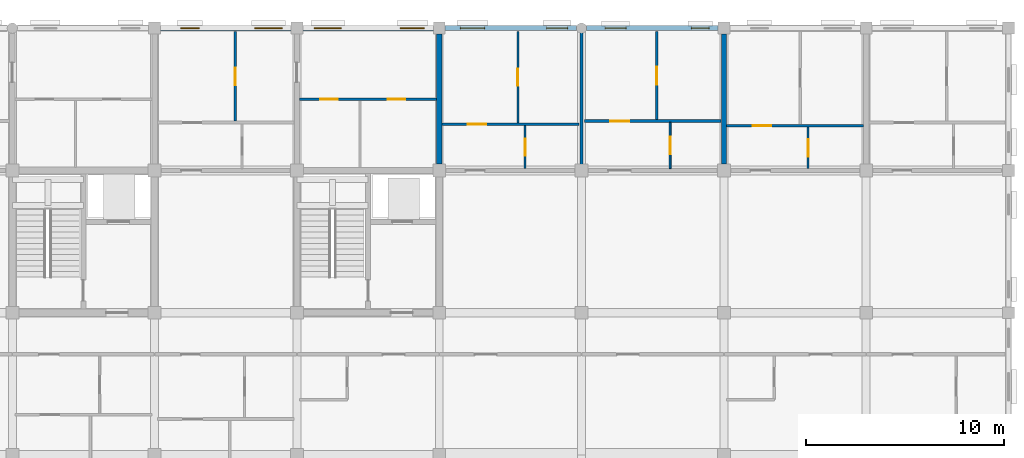
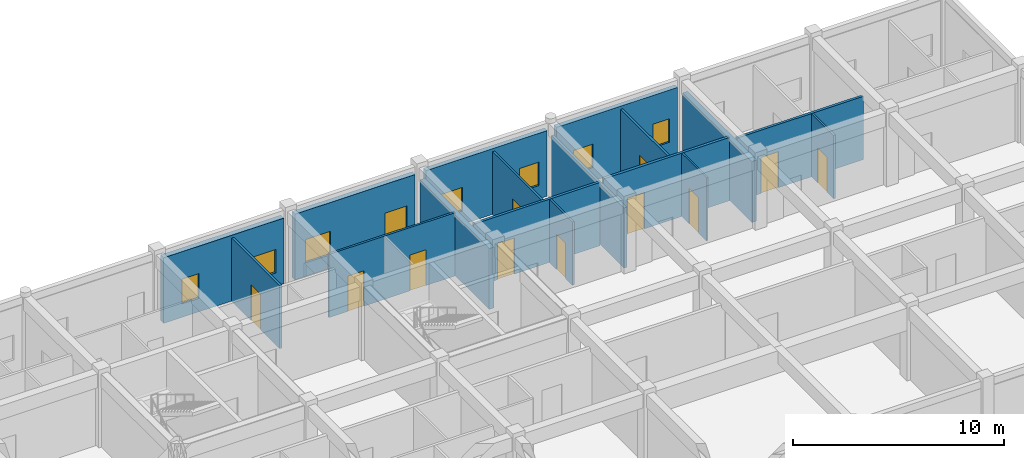
# One storey, part 119 of 138: 17 walls, 11 doors, 8 windows, 19 openings.
"""IFC4 building model written with IfcOpenShell, lengths in metres."""

import ifcopenshell
import ifcopenshell.guid

model = None  # the IFC model being written
_history = None  # IfcOwnerHistory: only IFC2X3 demands one
_inside = {}  # id of a spatial element -> (the spatial element, [elements in it])
_under = {}  # id of a project, library or spatial element -> (it, [spatial elements below it])
_declared = {}  # id of a project -> (the project, [libraries it declares])
_typed = {}  # id of a type object -> (the type object, [elements of that type])
_made_of = {}  # id of a material, layer set ... -> (it, [elements and type objects made of it])


def new_model(schema):
    """Start an empty IFC model of exactly this schema.

    Asked for "IFC4X3", IfcOpenShell would pick the latest addendum, in which some entities
    have other attributes; the version numbers below select the first issue.
    IFC2X3 requires an IfcOwnerHistory on every rooted entity: one is made here for all.
    """
    global model, _history
    if schema == "IFC4X3":
        model = ifcopenshell.file(schema_version=(4, 3, 0, 0))
    else:
        model = ifcopenshell.file(schema=schema)
    _inside.clear()
    _under.clear()
    _declared.clear()
    _typed.clear()
    _made_of.clear()
    _history = None
    if model.schema == "IFC2X3":
        org = make("IfcOrganization", Name="unknown")
        user = make(
            "IfcPersonAndOrganization",
            ThePerson=make("IfcPerson", FamilyName="unknown"),
            TheOrganization=org,
        )
        app = make(
            "IfcApplication",
            ApplicationDeveloper=org,
            Version="unknown",
            ApplicationFullName="unknown",
            ApplicationIdentifier="unknown",
        )
        _history = make(
            "IfcOwnerHistory",
            OwningUser=user,
            OwningApplication=app,
            ChangeAction="ADDED",
            CreationDate=0,
        )
    return model


def make(cls, **values):
    """One entity of the class cls with the attributes given. An attribute that is None is left unset."""
    return model.create_entity(
        cls, **{name: value for name, value in values.items() if value is not None}
    )


def rooted(cls, **values):
    """An entity with a GlobalId (a new one), such as an element, a storey or a relation."""
    return make(cls, GlobalId=ifcopenshell.guid.new(), OwnerHistory=_history, **values)


def si_unit(unit_type, name, prefix=None):
    """IfcSIUnit, for example si_unit("LENGTHUNIT", "METRE", prefix="MILLI")."""
    return make("IfcSIUnit", UnitType=unit_type, Prefix=prefix, Name=name)


def assignment(units):
    """IfcUnitAssignment: the units of a project."""
    return None if units is None else make("IfcUnitAssignment", Units=units)


def point(xyz):
    """IfcCartesianPoint."""
    return None if xyz is None else make("IfcCartesianPoint", Coordinates=xyz)


def direction(xyz):
    """IfcDirection."""
    return None if xyz is None else make("IfcDirection", DirectionRatios=xyz)


def frame(location, z_axis=None, x_axis=None):
    """IfcAxis2Placement3D, a coordinate frame: its origin and axes. An axis left out is left unset."""
    return make(
        "IfcAxis2Placement3D",
        Location=point(location),
        Axis=direction(z_axis),
        RefDirection=direction(x_axis),
    )


def frame_2d(location, x_axis=None):
    """IfcAxis2Placement2D, a coordinate frame in the plane: its origin and x axis."""
    return make(
        "IfcAxis2Placement2D", Location=point(location), RefDirection=direction(x_axis)
    )


def origin():
    """The frame at (0, 0, 0) with its axes left unset."""
    return frame((0.0, 0.0, 0.0))


def place(relative_to, where):
    """IfcLocalPlacement: puts the frame where relative to a parent placement (None: the world)."""
    return make(
        "IfcLocalPlacement", PlacementRelTo=relative_to, RelativePlacement=where
    )


def context(
    kind, dimensions, precision=None, world=None, true_north=None, identifier=None
):
    """IfcGeometricRepresentationContext, for example the 3D "Model" context."""
    return make(
        "IfcGeometricRepresentationContext",
        ContextIdentifier=identifier,
        ContextType=kind,
        CoordinateSpaceDimension=dimensions,
        Precision=precision,
        WorldCoordinateSystem=world,
        TrueNorth=true_north,
    )


def subcontext(parent, identifier, kind, view, scale=None):
    """IfcGeometricRepresentationSubContext, for example "Body" below "Model"."""
    return make(
        "IfcGeometricRepresentationSubContext",
        ContextIdentifier=identifier,
        ContextType=kind,
        ParentContext=parent,
        TargetScale=scale,
        TargetView=view,
    )


def project(units=None, contexts=None):
    """IfcProject with its units and contexts."""
    return rooted(
        "IfcProject",
        Name="project",
        RepresentationContexts=contexts,
        UnitsInContext=assignment(units),
    )


def spatial(cls, under=None, at=None, **own):
    """A site, building, storey or space (cls), placed at a placement, below another one or the project."""
    s = rooted(cls, ObjectPlacement=at, **own)
    if under is not None:
        _under.setdefault(under.id(), (under, []))[1].append(s)
    return s


def profile(cls, at=None, kind="AREA", **sizes):
    """A parametric profile (cls). Its sizes go by their IFC names, for example OverallWidth=200.0."""
    return make(cls, ProfileType=kind, Position=at, **sizes)


def rectangle(**sizes):
    """IfcRectangleProfileDef."""
    return profile("IfcRectangleProfileDef", **sizes)


def extrude(swept, where, along, depth):
    """IfcExtrudedAreaSolid: the profile swept, set in the frame where, extruded along a direction by depth."""
    return make(
        "IfcExtrudedAreaSolid",
        SweptArea=swept,
        Position=where,
        ExtrudedDirection=direction(along),
        Depth=depth,
    )


def shape(context_of_items, identifier, shape_type, items):
    """IfcShapeRepresentation: the items that make up one representation, for example the "Body"."""
    return make(
        "IfcShapeRepresentation",
        ContextOfItems=context_of_items,
        RepresentationIdentifier=identifier,
        RepresentationType=shape_type,
        Items=items,
    )


def material(Name=None, Category=None):
    """IfcMaterial."""
    return make("IfcMaterial", Name=Name, Category=Category)


def layer(
    of_material, thickness, ventilated=None, Name=None, Category=None, Priority=None
):
    """IfcMaterialLayer: one layer of a wall or slab, of a material (None: an air gap)."""
    return make(
        "IfcMaterialLayer",
        Material=of_material,
        LayerThickness=thickness,
        IsVentilated=ventilated,
        Name=Name,
        Category=Category,
        Priority=Priority,
    )


def layer_set(layers, Name=None):
    """IfcMaterialLayerSet."""
    return make("IfcMaterialLayerSet", MaterialLayers=layers, LayerSetName=Name)


def made_of(thing, what):
    """Note that an element or type object is made of a material, layer set ...; save() writes the relation."""
    if what is not None:
        _made_of.setdefault(what.id(), (what, []))[1].append(thing)
    return thing


def type_object(cls, material=None, **own):
    """A type object (cls), such as IfcWallType, which elements share."""
    return made_of(rooted(cls, **own), material)


def element(
    cls,
    number,
    at=None,
    inside=None,
    cuts=None,
    type_object=None,
    material=None,
    context=None,
    identifier="Body",
    shape_type=None,
    held_by="IfcProductDefinitionShape",
    body=None,
    shapes=None,
    **own,
):
    """One element of the class cls, such as IfcWall. Its Tag is "e" and its number.

    at: its placement. inside: the storey or other place that contains it. cuts: it is an
    opening in that element (IfcRelVoidsElement). A single representation is given by context,
    identifier, shape_type and body (its items); several are given by shapes. held_by: the class
    of the entity that holds the representations. save() writes the other relations.
    """
    e = rooted(cls, Tag="e%d" % number, ObjectPlacement=at, **own)
    if body is not None:
        shapes = [shape(context, identifier, shape_type, body)]
    if shapes is not None:
        e.Representation = make(held_by, Representations=shapes)
    if inside is not None:
        _inside.setdefault(inside.id(), (inside, []))[1].append(e)
    if cuts is not None:
        rooted(
            "IfcRelVoidsElement", RelatingBuildingElement=cuts, RelatedOpeningElement=e
        )
    if type_object is not None:
        _typed.setdefault(type_object.id(), (type_object, []))[1].append(e)
    return made_of(e, material)


def fill(opening, filler):
    """IfcRelFillsElement: the door or window that sits in an opening."""
    return rooted(
        "IfcRelFillsElement",
        RelatingOpeningElement=opening,
        RelatedBuildingElement=filler,
    )


def aggregate(whole, parts):
    """IfcRelAggregates: a whole, such as a stair, and the parts it consists of."""
    return rooted("IfcRelAggregates", RelatingObject=whole, RelatedObjects=parts)


def save(model, path):
    """Write the relations noted so far, then the file.

    IfcRelAggregates (storeys below a building ...), IfcRelContainedInSpatialStructure (elements
    in a storey), IfcRelDefinesByType, IfcRelAssociatesMaterial and IfcRelDeclares: one each for
    every whole, place, type object, material and project.
    """
    for whole, parts in _under.values():
        aggregate(whole, parts)
    for where, things in _inside.values():
        rooted(
            "IfcRelContainedInSpatialStructure",
            RelatedElements=things,
            RelatingStructure=where,
        )
    for kind, things in _typed.values():
        rooted("IfcRelDefinesByType", RelatedObjects=things, RelatingType=kind)
    for what, things in _made_of.values():
        rooted("IfcRelAssociatesMaterial", RelatedObjects=things, RelatingMaterial=what)
    for by, libraries in _declared.values():
        rooted("IfcRelDeclares", RelatingContext=by, RelatedDefinitions=libraries)
    model.write(path)


model = new_model("IFC4")

# Units and contexts
model_context = context("Model", 3, precision=1e-05, world=origin(), true_north=direction((0.0, 1.0)))
body_context = subcontext(model_context, "Body", "Model", "MODEL_VIEW")
ifc_project = project(units=[si_unit("LENGTHUNIT", "METRE"), si_unit("AREAUNIT", "SQUARE_METRE"), si_unit("VOLUMEUNIT", "CUBIC_METRE"), si_unit("PLANEANGLEUNIT", "RADIAN"), si_unit("MASSUNIT", "GRAM", prefix="KILO"), si_unit("THERMODYNAMICTEMPERATUREUNIT", "KELVIN"), si_unit("POWERUNIT", "WATT")], contexts=[model_context])

# Site, building, storey
site_placement = place(None, origin())
site = spatial("IfcSite", under=ifc_project, at=site_placement, CompositionType="ELEMENT")
building_placement = place(site_placement, origin())
building = spatial("IfcBuilding", under=site, at=building_placement, Name="Tavuni Mirador Residences", CompositionType="ELEMENT")
storey_placement = place(building_placement, origin())
storey = spatial("IfcBuildingStorey", under=building, at=storey_placement, Name="L00", CompositionType="ELEMENT", Elevation=0.0)

# Wall, openings, windows
ifc_material_1 = material(Name="Sgraffito lime-rendered precast concrete C40/50", Category="concrete")
ifc_layer_1 = layer(ifc_material_1, 0.2451171875, Name="Sgraffito lime-rendered precast concrete C40/50", Category="concrete")
ifc_layer_set_1 = layer_set([ifc_layer_1], Name="Sgraffito lime-rendered precast concrete C40/50")
wall_type_1 = type_object("IfcWallType", Name="WT-EXT-PC245", PredefinedType="SOLIDWALL", material=ifc_layer_set_1)
wall_1_placement = place(storey_placement, frame((60.89990234375, 172.800048828125, 0.0), z_axis=(0.0, 0.0, 1.0), x_axis=(-1.0, 0.0, 0.0)))
wall_1 = element("IfcWall", 1, at=wall_1_placement, inside=storey, type_object=wall_type_1, Name="EW-BLK-C-L00-N06", PredefinedType="SOLIDWALL", context=body_context, shape_type="SweptSolid", body=[
    extrude(rectangle(XDim=6.639892578125, YDim=0.2451171875, at=frame_2d((3.31982421875, 0.0))), origin(), (0.0, 0.0, 1.0), 3.804931640625),
])
opening_1_placement = place(wall_1_placement, frame((0.449951171875, 0.0, 0.780029296875)))
opening_1 = element("IfcOpeningElement", 2, at=opening_1_placement, cuts=wall_1, Name="Opening WN-17", PredefinedType="OPENING", context=body_context, shape_type="SweptSolid", body=[
    extrude(rectangle(XDim=0.89990234375, YDim=1.360107421875, at=frame_2d((0.449951171875, 0.68017578125))), frame((0.0, 0.132568359375, 0.0), z_axis=(0.0, -1.0, 0.0), x_axis=(1.0, 0.0, 0.0)), (0.0, 0.0, 1.0), 0.26513671875),
])
opening_2_placement = place(wall_1_placement, frame((4.64990234375, 0.0, 0.780029296875)))
opening_2 = element("IfcOpeningElement", 3, at=opening_2_placement, cuts=wall_1, Name="Opening WN-19", PredefinedType="OPENING", context=body_context, shape_type="SweptSolid", body=[
    extrude(rectangle(XDim=1.06005859375, YDim=1.360107421875, at=frame_2d((0.530029296875, 0.68017578125))), frame((0.0, 0.132568359375, 0.0), z_axis=(0.0, -1.0, 0.0), x_axis=(1.0, 0.0, 0.0)), (0.0, 0.0, 1.0), 0.26513671875),
])
ifc_material_2 = material(Name="Laminated solar-control glass", Category="glass")
window_type_1 = type_object("IfcWindowType", Name="WNT-17", PartitioningType="SINGLE_PANEL", PredefinedType="WINDOW", material=ifc_material_2)
window_1_placement = place(opening_1_placement, origin())
window_1 = element("IfcWindow", 4, at=window_1_placement, inside=storey, type_object=window_type_1, Name="WIN-0826", OverallHeight=1.360107421875, OverallWidth=0.89990234375, PartitioningType="SINGLE_PANEL", PredefinedType="WINDOW", context=body_context, shape_type="SweptSolid", body=[
    extrude(rectangle(XDim=0.89990234375, YDim=1.360107421875, at=frame_2d((0.449951171875, 0.68017578125))), frame((0.0, 0.030029296875, 0.0), z_axis=(0.0, -1.0, 0.0), x_axis=(1.0, 0.0, 0.0)), (0.0, 0.0, 1.0), 0.06005859375),
])
fill(opening_1, window_1)
window_type_2 = type_object("IfcWindowType", Name="WNT-19", PartitioningType="SINGLE_PANEL", PredefinedType="WINDOW", material=ifc_material_2)
window_2_placement = place(opening_2_placement, origin())
window_2 = element("IfcWindow", 5, at=window_2_placement, inside=storey, type_object=window_type_2, Name="WIN-0827", OverallHeight=1.360107421875, OverallWidth=1.06005859375, PartitioningType="SINGLE_PANEL", PredefinedType="WINDOW", context=body_context, shape_type="SweptSolid", body=[
    extrude(rectangle(XDim=1.06005859375, YDim=1.360107421875, at=frame_2d((0.530029296875, 0.68017578125))), frame((0.0, 0.030029296875, 0.0), z_axis=(0.0, -1.0, 0.0), x_axis=(1.0, 0.0, 0.0)), (0.0, 0.0, 1.0), 0.06005859375),
])
fill(opening_2, window_2)

ifc_layer_2 = layer(ifc_material_1, 0.2548828125, Name="Sgraffito lime-rendered precast concrete C40/50", Category="concrete")
ifc_layer_set_2 = layer_set([ifc_layer_2], Name="Sgraffito lime-rendered precast concrete C40/50")
wall_type_2 = type_object("IfcWallType", Name="WT-EXT-PC255", PredefinedType="SOLIDWALL", material=ifc_layer_set_2)
wall_2_placement = place(storey_placement, frame((53.739990234375, 172.800048828125, 0.0), z_axis=(0.0, 0.0, 1.0), x_axis=(-1.0, 0.0, 0.0)))
wall_2 = element("IfcWall", 6, at=wall_2_placement, inside=storey, type_object=wall_type_2, Name="EW-BLK-C-L00-N05", PredefinedType="SOLIDWALL", context=body_context, shape_type="SweptSolid", body=[
    extrude(rectangle(XDim=6.639892578125, YDim=0.2548828125, at=frame_2d((3.31982421875, 0.0))), origin(), (0.0, 0.0, 1.0), 3.804931640625),
])
opening_3_placement = place(wall_2_placement, frame((0.449951171875, 0.0, 0.780029296875)))
opening_3 = element("IfcOpeningElement", 7, at=opening_3_placement, cuts=wall_2, Name="Opening WN-19", PredefinedType="OPENING", context=body_context, shape_type="SweptSolid", body=[
    extrude(rectangle(XDim=1.06005859375, YDim=1.360107421875, at=frame_2d((0.530029296875, 0.68017578125))), frame((0.0, 0.137451171875, 0.0), z_axis=(0.0, -1.0, 0.0), x_axis=(1.0, 0.0, 0.0)), (0.0, 0.0, 1.0), 0.27490234375),
])
opening_4_placement = place(wall_2_placement, frame((4.64990234375, 0.0, 0.780029296875)))
opening_4 = element("IfcOpeningElement", 8, at=opening_4_placement, cuts=wall_2, Name="Opening WN-21", PredefinedType="OPENING", context=body_context, shape_type="SweptSolid", body=[
    extrude(rectangle(XDim=1.219970703125, YDim=1.360107421875, at=frame_2d((0.60986328125, 0.68017578125))), frame((0.0, 0.137451171875, 0.0), z_axis=(0.0, -1.0, 0.0), x_axis=(1.0, 0.0, 0.0)), (0.0, 0.0, 1.0), 0.27490234375),
])
window_3_placement = place(opening_3_placement, origin())
window_3 = element("IfcWindow", 9, at=window_3_placement, inside=storey, type_object=window_type_2, Name="WIN-0828", OverallHeight=1.360107421875, OverallWidth=1.06005859375, PartitioningType="SINGLE_PANEL", PredefinedType="WINDOW", context=body_context, shape_type="SweptSolid", body=[
    extrude(rectangle(XDim=1.06005859375, YDim=1.360107421875, at=frame_2d((0.530029296875, 0.68017578125))), frame((0.0, 0.030029296875, 0.0), z_axis=(0.0, -1.0, 0.0), x_axis=(1.0, 0.0, 0.0)), (0.0, 0.0, 1.0), 0.06005859375),
])
fill(opening_3, window_3)
window_type_3 = type_object("IfcWindowType", Name="WNT-21", PartitioningType="SINGLE_PANEL", PredefinedType="WINDOW", material=ifc_material_2)
window_4_placement = place(opening_4_placement, origin())
window_4 = element("IfcWindow", 10, at=window_4_placement, inside=storey, type_object=window_type_3, Name="WIN-0829", OverallHeight=1.360107421875, OverallWidth=1.219970703125, PartitioningType="SINGLE_PANEL", PredefinedType="WINDOW", context=body_context, shape_type="SweptSolid", body=[
    extrude(rectangle(XDim=1.219970703125, YDim=1.360107421875, at=frame_2d((0.60986328125, 0.68017578125))), frame((0.0, 0.030029296875, 0.0), z_axis=(0.0, -1.0, 0.0), x_axis=(1.0, 0.0, 0.0)), (0.0, 0.0, 1.0), 0.06005859375),
])
fill(opening_4, window_4)

ifc_layer_3 = layer(ifc_material_1, 0.27490234375, Name="Sgraffito lime-rendered precast concrete C40/50", Category="concrete")
ifc_layer_set_3 = layer_set([ifc_layer_3], Name="Sgraffito lime-rendered precast concrete C40/50")
wall_type_3 = type_object("IfcWallType", Name="WT-EXT-PC275", PredefinedType="SOLIDWALL", material=ifc_layer_set_3)
wall_3_placement = place(storey_placement, frame((46.5, 172.800048828125, 0.0), z_axis=(0.0, 0.0, 1.0), x_axis=(-1.0, 0.0, 0.0)))
wall_3 = element("IfcWall", 11, at=wall_3_placement, inside=storey, type_object=wall_type_3, Name="EW-BLK-C-L00-N04", PredefinedType="SOLIDWALL", context=body_context, shape_type="SweptSolid", body=[
    extrude(rectangle(XDim=6.60009765625, YDim=0.27490234375, at=frame_2d((3.300048828125, 0.0))), origin(), (0.0, 0.0, 1.0), 3.804931640625),
])
opening_5_placement = place(wall_3_placement, frame((0.449951171875, 0.0, 0.780029296875)))
opening_5 = element("IfcOpeningElement", 12, at=opening_5_placement, cuts=wall_3, Name="Opening WN-21", PredefinedType="OPENING", context=body_context, shape_type="SweptSolid", body=[
    extrude(rectangle(XDim=1.219970703125, YDim=1.360107421875, at=frame_2d((0.60986328125, 0.68017578125))), frame((0.0, 0.1474609375, 0.0), z_axis=(0.0, -1.0, 0.0), x_axis=(1.0, 0.0, 0.0)), (0.0, 0.0, 1.0), 0.294921875),
])
opening_6_placement = place(wall_3_placement, frame((4.64990234375, 0.0, 0.780029296875)))
opening_6 = element("IfcOpeningElement", 13, at=opening_6_placement, cuts=wall_3, Name="Opening WN-23", PredefinedType="OPENING", context=body_context, shape_type="SweptSolid", body=[
    extrude(rectangle(XDim=1.3798828125, YDim=1.360107421875, at=frame_2d((0.68994140625, 0.68017578125))), frame((0.0, 0.1474609375, 0.0), z_axis=(0.0, -1.0, 0.0), x_axis=(1.0, 0.0, 0.0)), (0.0, 0.0, 1.0), 0.294921875),
])
window_5_placement = place(opening_5_placement, origin())
window_5 = element("IfcWindow", 14, at=window_5_placement, inside=storey, type_object=window_type_3, Name="WIN-0830", OverallHeight=1.360107421875, OverallWidth=1.219970703125, PartitioningType="SINGLE_PANEL", PredefinedType="WINDOW", context=body_context, shape_type="SweptSolid", body=[
    extrude(rectangle(XDim=1.219970703125, YDim=1.360107421875, at=frame_2d((0.60986328125, 0.68017578125))), frame((0.0, 0.030029296875, 0.0), z_axis=(0.0, -1.0, 0.0), x_axis=(1.0, 0.0, 0.0)), (0.0, 0.0, 1.0), 0.06005859375),
])
fill(opening_5, window_5)
window_type_4 = type_object("IfcWindowType", Name="WNT-23", PartitioningType="SINGLE_PANEL", PredefinedType="WINDOW", material=ifc_material_2)
window_6_placement = place(opening_6_placement, origin())
window_6 = element("IfcWindow", 15, at=window_6_placement, inside=storey, type_object=window_type_4, Name="WIN-0831", OverallHeight=1.360107421875, OverallWidth=1.3798828125, PartitioningType="SINGLE_PANEL", PredefinedType="WINDOW", context=body_context, shape_type="SweptSolid", body=[
    extrude(rectangle(XDim=1.3798828125, YDim=1.360107421875, at=frame_2d((0.68994140625, 0.68017578125))), frame((0.0, 0.030029296875, 0.0), z_axis=(0.0, -1.0, 0.0), x_axis=(1.0, 0.0, 0.0)), (0.0, 0.0, 1.0), 0.06005859375),
])
fill(opening_6, window_6)

ifc_layer_4 = layer(ifc_material_1, 0.2900390625, Name="Sgraffito lime-rendered precast concrete C40/50", Category="concrete")
ifc_layer_set_4 = layer_set([ifc_layer_4], Name="Sgraffito lime-rendered precast concrete C40/50")
wall_type_4 = type_object("IfcWallType", Name="WT-EXT-PC290", PredefinedType="SOLIDWALL", material=ifc_layer_set_4)
wall_4_placement = place(storey_placement, frame((39.300048828125, 172.800048828125, 0.0), z_axis=(0.0, 0.0, 1.0), x_axis=(-1.0, 0.0, 0.0)))
wall_4 = element("IfcWall", 16, at=wall_4_placement, inside=storey, type_object=wall_type_4, Name="EW-BLK-C-L00-N03", PredefinedType="SOLIDWALL", context=body_context, shape_type="SweptSolid", body=[
    extrude(rectangle(XDim=6.60009765625, YDim=0.2900390625, at=frame_2d((3.300048828125, 0.0))), origin(), (0.0, 0.0, 1.0), 3.804931640625),
])
opening_7_placement = place(wall_4_placement, frame((0.449951171875, 0.0, 0.780029296875)))
opening_7 = element("IfcOpeningElement", 17, at=opening_7_placement, cuts=wall_4, Name="Opening WN-23", PredefinedType="OPENING", context=body_context, shape_type="SweptSolid", body=[
    extrude(rectangle(XDim=1.3798828125, YDim=1.360107421875, at=frame_2d((0.68994140625, 0.68017578125))), frame((0.0, 0.155029296875, 0.0), z_axis=(0.0, -1.0, 0.0), x_axis=(1.0, 0.0, 0.0)), (0.0, 0.0, 1.0), 0.31005859375),
])
opening_8_placement = place(wall_4_placement, frame((4.64990234375, 0.0, 0.780029296875)))
opening_8 = element("IfcOpeningElement", 18, at=opening_8_placement, cuts=wall_4, Name="Opening WN-25", PredefinedType="OPENING", context=body_context, shape_type="SweptSolid", body=[
    extrude(rectangle(XDim=0.93994140625, YDim=1.43994140625, at=frame_2d((0.469970703125, 0.719970703125))), frame((0.0, 0.155029296875, 0.0), z_axis=(0.0, -1.0, 0.0), x_axis=(1.0, 0.0, 0.0)), (0.0, 0.0, 1.0), 0.31005859375),
])
window_7_placement = place(opening_7_placement, origin())
window_7 = element("IfcWindow", 19, at=window_7_placement, inside=storey, type_object=window_type_4, Name="WIN-0832", OverallHeight=1.360107421875, OverallWidth=1.3798828125, PartitioningType="SINGLE_PANEL", PredefinedType="WINDOW", context=body_context, shape_type="SweptSolid", body=[
    extrude(rectangle(XDim=1.3798828125, YDim=1.360107421875, at=frame_2d((0.68994140625, 0.68017578125))), frame((0.0, 0.030029296875, 0.0), z_axis=(0.0, -1.0, 0.0), x_axis=(1.0, 0.0, 0.0)), (0.0, 0.0, 1.0), 0.06005859375),
])
fill(opening_7, window_7)
window_type_5 = type_object("IfcWindowType", Name="WNT-25", PartitioningType="SINGLE_PANEL", PredefinedType="WINDOW", material=ifc_material_2)
window_8_placement = place(opening_8_placement, origin())
window_8 = element("IfcWindow", 20, at=window_8_placement, inside=storey, type_object=window_type_5, Name="WIN-0833", OverallHeight=1.43994140625, OverallWidth=0.93994140625, PartitioningType="SINGLE_PANEL", PredefinedType="WINDOW", context=body_context, shape_type="SweptSolid", body=[
    extrude(rectangle(XDim=0.93994140625, YDim=1.43994140625, at=frame_2d((0.469970703125, 0.719970703125))), frame((0.0, 0.030029296875, 0.0), z_axis=(0.0, -1.0, 0.0), x_axis=(1.0, 0.0, 0.0)), (0.0, 0.0, 1.0), 0.06005859375),
])
fill(opening_8, window_8)

# Wall, opening, door
ifc_material_3 = material(Name="Acoustic gypsum and concrete block partition", Category="concrete")
ifc_layer_5 = layer(ifc_material_3, 0.094970703125, Name="Acoustic gypsum and concrete block partition", Category="concrete")
ifc_layer_set_5 = layer_set([ifc_layer_5], Name="Acoustic gypsum and concrete block partition")
wall_type_5 = type_object("IfcWallType", Name="WT-PART095", PredefinedType="PARTITIONING", material=ifc_layer_set_5)
wall_5_placement = place(storey_placement, frame((58.47998046875, 165.68994140625, 0.0), z_axis=(0.0, 0.0, 1.0), x_axis=(0.0, 1.0, 0.0)))
wall_5 = element("IfcWall", 21, at=wall_5_placement, inside=storey, type_object=wall_type_5, Name="PW-BLK-C-L00-N06-IN1", PredefinedType="PARTITIONING", context=body_context, shape_type="SweptSolid", body=[
    extrude(rectangle(XDim=2.340087890625, YDim=0.094970703125, at=frame_2d((1.169921875, 0.0))), origin(), (0.0, 0.0, 1.0), 3.669921875),
])
opening_9_placement = place(wall_5_placement, frame((0.719970703125, 0.0, 0.0)))
opening_9 = element("IfcOpeningElement", 22, at=opening_9_placement, cuts=wall_5, Name="Opening D-09", PredefinedType="OPENING", context=body_context, shape_type="SweptSolid", body=[
    extrude(rectangle(XDim=0.89990234375, YDim=2.050048828125, at=frame_2d((0.449951171875, 1.02490234375))), frame((0.0, 0.0576171875, 0.0), z_axis=(0.0, -1.0, 0.0), x_axis=(1.0, 0.0, 0.0)), (0.0, 0.0, 1.0), 0.114990234375),
])
ifc_material_4 = material(Name="Solid core iroko timber", Category="wood")
door_type_1 = type_object("IfcDoorType", Name="DT-WC900", OperationType="NOTDEFINED", PredefinedType="DOOR", material=ifc_material_4)
door_1_placement = place(opening_9_placement, origin())
door_1 = element("IfcDoor", 23, at=door_1_placement, inside=storey, type_object=door_type_1, Name="DR-3672", OperationType="SINGLE_SWING_LEFT", OverallHeight=2.050048828125, OverallWidth=0.89990234375, PredefinedType="DOOR", context=body_context, shape_type="SweptSolid", body=[
    extrude(rectangle(XDim=0.89990234375, YDim=2.050048828125, at=frame_2d((0.449951171875, 1.02490234375))), frame((0.0, 0.02490234375, 0.0), z_axis=(0.0, -1.0, 0.0), x_axis=(1.0, 0.0, 0.0)), (0.0, 0.0, 1.0), 0.050048828125),
])
fill(opening_9, door_1)

ifc_layer_6 = layer(ifc_material_3, 0.10498046875, Name="Acoustic gypsum and concrete block partition", Category="concrete")
ifc_layer_set_6 = layer_set([ifc_layer_6], Name="Acoustic gypsum and concrete block partition")
wall_type_6 = type_object("IfcWallType", Name="WT-PART105", PredefinedType="PARTITIONING", material=ifc_layer_set_6)
wall_6_placement = place(storey_placement, frame((51.139892578125, 165.68994140625, 0.0), z_axis=(0.0, 0.0, 1.0), x_axis=(0.0, 1.0, 0.0)))
wall_6 = element("IfcWall", 24, at=wall_6_placement, inside=storey, type_object=wall_type_6, Name="PW-BLK-C-L00-N05-IN1", PredefinedType="PARTITIONING", context=body_context, shape_type="SweptSolid", body=[
    extrude(rectangle(XDim=2.18017578125, YDim=0.10498046875, at=frame_2d((1.090087890625, 0.0))), origin(), (0.0, 0.0, 1.0), 3.669921875),
])
opening_10_placement = place(wall_6_placement, frame((0.655029296875, 0.0, 0.0)))
opening_10 = element("IfcOpeningElement", 25, at=opening_10_placement, cuts=wall_6, Name="Opening D-10", PredefinedType="OPENING", context=body_context, shape_type="SweptSolid", body=[
    extrude(rectangle(XDim=0.8701171875, YDim=2.050048828125, at=frame_2d((0.43505859375, 1.02490234375))), frame((0.0, 0.0625, 0.0), z_axis=(0.0, -1.0, 0.0), x_axis=(1.0, 0.0, 0.0)), (0.0, 0.0, 1.0), 0.125),
])
door_type_2 = type_object("IfcDoorType", Name="DT-WC870", OperationType="NOTDEFINED", PredefinedType="DOOR", material=ifc_material_4)
door_2_placement = place(opening_10_placement, origin())
door_2 = element("IfcDoor", 26, at=door_2_placement, inside=storey, type_object=door_type_2, Name="DR-3669", OperationType="SINGLE_SWING_RIGHT", OverallHeight=2.050048828125, OverallWidth=0.8701171875, PredefinedType="DOOR", context=body_context, shape_type="SweptSolid", body=[
    extrude(rectangle(XDim=0.8701171875, YDim=2.050048828125, at=frame_2d((0.43505859375, 1.02490234375))), frame((0.0, 0.02490234375, 0.0), z_axis=(0.0, -1.0, 0.0), x_axis=(1.0, 0.0, 0.0)), (0.0, 0.0, 1.0), 0.050048828125),
])
fill(opening_10, door_2)

wall_7_placement = place(storey_placement, frame((65.4599609375, 165.68994140625, 0.0), z_axis=(0.0, 0.0, 1.0), x_axis=(0.0, 1.0, 0.0)))
wall_7 = element("IfcWall", 27, at=wall_7_placement, inside=storey, type_object=wall_type_6, Name="PW-BLK-C-L00-N07-IN1", PredefinedType="PARTITIONING", context=body_context, shape_type="SweptSolid", body=[
    extrude(rectangle(XDim=2.10009765625, YDim=0.10498046875, at=frame_2d((1.050048828125, 0.0))), origin(), (0.0, 0.0, 1.0), 3.669921875),
])
opening_11_placement = place(wall_7_placement, frame((0.60009765625, 0.0, 0.0)))
opening_11 = element("IfcOpeningElement", 28, at=opening_11_placement, cuts=wall_7, Name="Opening D-09", PredefinedType="OPENING", context=body_context, shape_type="SweptSolid", body=[
    extrude(rectangle(XDim=0.89990234375, YDim=2.050048828125, at=frame_2d((0.449951171875, 1.02490234375))), frame((0.0, 0.0625, 0.0), z_axis=(0.0, -1.0, 0.0), x_axis=(1.0, 0.0, 0.0)), (0.0, 0.0, 1.0), 0.125),
])
door_3_placement = place(opening_11_placement, origin())
door_3 = element("IfcDoor", 29, at=door_3_placement, inside=storey, type_object=door_type_1, Name="DR-3676", OperationType="SINGLE_SWING_LEFT", OverallHeight=2.050048828125, OverallWidth=0.89990234375, PredefinedType="DOOR", context=body_context, shape_type="SweptSolid", body=[
    extrude(rectangle(XDim=0.89990234375, YDim=2.050048828125, at=frame_2d((0.449951171875, 1.02490234375))), frame((0.0, 0.02490234375, 0.0), z_axis=(0.0, -1.0, 0.0), x_axis=(1.0, 0.0, 0.0)), (0.0, 0.0, 1.0), 0.050048828125),
])
fill(opening_11, door_3)

# Wall, openings, doors
ifc_layer_7 = layer(ifc_material_3, 0.114990234375, Name="Acoustic gypsum and concrete block partition", Category="concrete")
ifc_layer_set_7 = layer_set([ifc_layer_7], Name="Acoustic gypsum and concrete block partition")
wall_type_7 = type_object("IfcWallType", Name="WT-PART115", PredefinedType="PARTITIONING", material=ifc_layer_set_7)
wall_8_placement = place(storey_placement, frame((39.739990234375, 169.199951171875, 0.0), z_axis=(0.0, 0.0, 1.0), x_axis=(1.0, 0.0, 0.0)))
wall_8 = element("IfcWall", 30, at=wall_8_placement, inside=storey, type_object=wall_type_7, Name="PW-BLK-C-L00-NC04-M", PredefinedType="PARTITIONING", context=body_context, shape_type="SweptSolid", body=[
    extrude(rectangle(XDim=6.919921875, YDim=0.114990234375, at=frame_2d((3.4599609375, 0.0))), origin(), (0.0, 0.0, 1.0), 3.669921875),
])
opening_12_placement = place(wall_8_placement, frame((1.050048828125, 0.0, 0.0)))
opening_12 = element("IfcOpeningElement", 31, at=opening_12_placement, cuts=wall_8, Name="Opening D-10", PredefinedType="OPENING", context=body_context, shape_type="SweptSolid", body=[
    extrude(rectangle(XDim=0.8701171875, YDim=2.050048828125, at=frame_2d((0.43505859375, 1.02490234375))), frame((0.0, 0.0673828125, 0.0), z_axis=(0.0, -1.0, 0.0), x_axis=(1.0, 0.0, 0.0)), (0.0, 0.0, 1.0), 0.135009765625),
])
opening_13_placement = place(wall_8_placement, frame((4.449951171875, 0.0, 0.0)))
opening_13 = element("IfcOpeningElement", 32, at=opening_13_placement, cuts=wall_8, Name="Opening D-08", PredefinedType="OPENING", context=body_context, shape_type="SweptSolid", body=[
    extrude(rectangle(XDim=0.8798828125, YDim=2.080078125, at=frame_2d((0.43994140625, 1.0400390625))), frame((0.0, 0.0673828125, 0.0), z_axis=(0.0, -1.0, 0.0), x_axis=(1.0, 0.0, 0.0)), (0.0, 0.0, 1.0), 0.135009765625),
])
door_type_3 = type_object("IfcDoorType", Name="DT-BED880", OperationType="NOTDEFINED", PredefinedType="DOOR", material=ifc_material_4)
door_4_placement = place(opening_13_placement, origin())
door_4 = element("IfcDoor", 33, at=door_4_placement, inside=storey, type_object=door_type_3, Name="DR-3667", OperationType="SINGLE_SWING_RIGHT", OverallHeight=2.080078125, OverallWidth=0.8798828125, PredefinedType="DOOR", context=body_context, shape_type="SweptSolid", body=[
    extrude(rectangle(XDim=0.8798828125, YDim=2.080078125, at=frame_2d((0.43994140625, 1.0400390625))), frame((0.0, 0.02490234375, 0.0), z_axis=(0.0, -1.0, 0.0), x_axis=(1.0, 0.0, 0.0)), (0.0, 0.0, 1.0), 0.050048828125),
])
fill(opening_13, door_4)
door_5_placement = place(opening_12_placement, origin())
door_5 = element("IfcDoor", 34, at=door_5_placement, inside=storey, type_object=door_type_2, Name="DR-3666", OperationType="SINGLE_SWING_LEFT", OverallHeight=2.050048828125, OverallWidth=0.8701171875, PredefinedType="DOOR", context=body_context, shape_type="SweptSolid", body=[
    extrude(rectangle(XDim=0.8701171875, YDim=2.050048828125, at=frame_2d((0.43505859375, 1.02490234375))), frame((0.0, 0.02490234375, 0.0), z_axis=(0.0, -1.0, 0.0), x_axis=(1.0, 0.0, 0.0)), (0.0, 0.0, 1.0), 0.050048828125),
])
fill(opening_12, door_5)

# Wall, opening, door
wall_9_placement = place(storey_placement, frame((50.780029296875, 168.010009765625, 0.0), z_axis=(0.0, 0.0, 1.0), x_axis=(0.0, 1.0, 0.0)))
wall_9 = element("IfcWall", 35, at=wall_9_placement, inside=storey, type_object=wall_type_7, Name="PW-BLK-C-L00-N05-OUT", PredefinedType="PARTITIONING", context=body_context, shape_type="SweptSolid", body=[
    extrude(rectangle(XDim=4.614990234375, YDim=0.114990234375, at=frame_2d((2.3076171875, 0.0))), origin(), (0.0, 0.0, 1.0), 3.669921875),
])
opening_14_placement = place(wall_9_placement, frame((1.867431640625, 0.0, 0.0)))
opening_14 = element("IfcOpeningElement", 36, at=opening_14_placement, cuts=wall_9, Name="Opening D-08", PredefinedType="OPENING", context=body_context, shape_type="SweptSolid", body=[
    extrude(rectangle(XDim=0.8798828125, YDim=2.080078125, at=frame_2d((0.43994140625, 1.0400390625))), frame((0.0, 0.0673828125, 0.0), z_axis=(0.0, -1.0, 0.0), x_axis=(1.0, 0.0, 0.0)), (0.0, 0.0, 1.0), 0.135009765625),
])
door_6_placement = place(opening_14_placement, origin())
door_6 = element("IfcDoor", 37, at=door_6_placement, inside=storey, type_object=door_type_3, Name="DR-3668", OperationType="SINGLE_SWING_LEFT", OverallHeight=2.080078125, OverallWidth=0.8798828125, PredefinedType="DOOR", context=body_context, shape_type="SweptSolid", body=[
    extrude(rectangle(XDim=0.8798828125, YDim=2.080078125, at=frame_2d((0.43994140625, 1.0400390625))), frame((0.0, 0.02490234375, 0.0), z_axis=(0.0, -1.0, 0.0), x_axis=(1.0, 0.0, 0.0)), (0.0, 0.0, 1.0), 0.050048828125),
])
fill(opening_14, door_6)

ifc_layer_8 = layer(ifc_material_3, 0.125, Name="Acoustic gypsum and concrete block partition", Category="concrete")
ifc_layer_set_8 = layer_set([ifc_layer_8], Name="Acoustic gypsum and concrete block partition")
wall_type_8 = type_object("IfcWallType", Name="WT-PART125", PredefinedType="PARTITIONING", material=ifc_layer_set_8)
wall_10_placement = place(storey_placement, frame((36.47998046875, 168.090087890625, 0.0), z_axis=(0.0, 0.0, 1.0), x_axis=(0.0, 1.0, 0.0)))
wall_10 = element("IfcWall", 38, at=wall_10_placement, inside=storey, type_object=wall_type_8, Name="PW-BLK-C-L00-N03-OUT", PredefinedType="PARTITIONING", context=body_context, shape_type="SweptSolid", body=[
    extrude(rectangle(XDim=4.534912109375, YDim=0.125, at=frame_2d((2.267578125, 0.0))), origin(), (0.0, 0.0, 1.0), 3.669921875),
])
opening_15_placement = place(wall_10_placement, frame((1.827392578125, 0.0, 0.0)))
opening_15 = element("IfcOpeningElement", 39, at=opening_15_placement, cuts=wall_10, Name="Opening D-08", PredefinedType="OPENING", context=body_context, shape_type="SweptSolid", body=[
    extrude(rectangle(XDim=0.8798828125, YDim=2.080078125, at=frame_2d((0.43994140625, 1.0400390625))), frame((0.0, 0.072509765625, 0.0), z_axis=(0.0, -1.0, 0.0), x_axis=(1.0, 0.0, 0.0)), (0.0, 0.0, 1.0), 0.14501953125),
])
door_7_placement = place(opening_15_placement, origin())
door_7 = element("IfcDoor", 40, at=door_7_placement, inside=storey, type_object=door_type_3, Name="DR-3662", OperationType="SINGLE_SWING_LEFT", OverallHeight=2.080078125, OverallWidth=0.8798828125, PredefinedType="DOOR", context=body_context, shape_type="SweptSolid", body=[
    extrude(rectangle(XDim=0.8798828125, YDim=2.080078125, at=frame_2d((0.43994140625, 1.0400390625))), frame((0.0, 0.02490234375, 0.0), z_axis=(0.0, -1.0, 0.0), x_axis=(1.0, 0.0, 0.0)), (0.0, 0.0, 1.0), 0.050048828125),
])
fill(opening_15, door_7)

wall_11_placement = place(storey_placement, frame((57.800048828125, 168.169921875, 0.0), z_axis=(0.0, 0.0, 1.0), x_axis=(0.0, 1.0, 0.0)))
wall_11 = element("IfcWall", 41, at=wall_11_placement, inside=storey, type_object=wall_type_8, Name="PW-BLK-C-L00-N06-OUT", PredefinedType="PARTITIONING", context=body_context, shape_type="SweptSolid", body=[
    extrude(rectangle(XDim=4.455078125, YDim=0.125, at=frame_2d((2.2275390625, 0.0))), origin(), (0.0, 0.0, 1.0), 3.669921875),
])
opening_16_placement = place(wall_11_placement, frame((1.777587890625, 0.0, 0.0)))
opening_16 = element("IfcOpeningElement", 42, at=opening_16_placement, cuts=wall_11, Name="Opening D-07", PredefinedType="OPENING", context=body_context, shape_type="SweptSolid", body=[
    extrude(rectangle(XDim=0.89990234375, YDim=2.10009765625, at=frame_2d((0.449951171875, 1.050048828125))), frame((0.0, 0.072509765625, 0.0), z_axis=(0.0, -1.0, 0.0), x_axis=(1.0, 0.0, 0.0)), (0.0, 0.0, 1.0), 0.14501953125),
])
door_type_4 = type_object("IfcDoorType", Name="DT-BED900", OperationType="NOTDEFINED", PredefinedType="DOOR", material=ifc_material_4)
door_8_placement = place(opening_16_placement, origin())
door_8 = element("IfcDoor", 43, at=door_8_placement, inside=storey, type_object=door_type_4, Name="DR-3671", OperationType="SINGLE_SWING_RIGHT", OverallHeight=2.10009765625, OverallWidth=0.89990234375, PredefinedType="DOOR", context=body_context, shape_type="SweptSolid", body=[
    extrude(rectangle(XDim=0.89990234375, YDim=2.10009765625, at=frame_2d((0.449951171875, 1.050048828125))), frame((0.0, 0.02490234375, 0.0), z_axis=(0.0, -1.0, 0.0), x_axis=(1.0, 0.0, 0.0)), (0.0, 0.0, 1.0), 0.050048828125),
])
fill(opening_16, door_8)

ifc_layer_9 = layer(ifc_material_3, 0.139892578125, Name="Acoustic gypsum and concrete block partition", Category="concrete")
ifc_layer_set_9 = layer_set([ifc_layer_9], Name="Acoustic gypsum and concrete block partition")
wall_type_9 = type_object("IfcWallType", Name="WT-PART140", PredefinedType="PARTITIONING", material=ifc_layer_set_9)
wall_12_placement = place(storey_placement, frame((46.93994140625, 167.93994140625, 0.0), z_axis=(0.0, 0.0, 1.0), x_axis=(1.0, 0.0, 0.0)))
wall_12 = element("IfcWall", 44, at=wall_12_placement, inside=storey, type_object=wall_type_9, Name="PW-BLK-C-L00-N05-MID", PredefinedType="PARTITIONING", context=body_context, shape_type="SweptSolid", body=[
    extrude(rectangle(XDim=6.920166015625, YDim=0.139892578125, at=frame_2d((3.4599609375, 0.0))), origin(), (0.0, 0.0, 1.0), 3.669921875),
])
opening_17_placement = place(wall_12_placement, frame((1.31005859375, 0.0, 0.0)))
opening_17 = element("IfcOpeningElement", 45, at=opening_17_placement, cuts=wall_12, Name="Opening D-06", PredefinedType="OPENING", context=body_context, shape_type="SweptSolid", body=[
    extrude(rectangle(XDim=0.919921875, YDim=2.10009765625, at=frame_2d((0.4599609375, 1.050048828125))), frame((0.0, 0.080078125, 0.0), z_axis=(0.0, -1.0, 0.0), x_axis=(1.0, 0.0, 0.0)), (0.0, 0.0, 1.0), 0.159912109375),
])
door_type_5 = type_object("IfcDoorType", Name="DT-INT920", OperationType="NOTDEFINED", PredefinedType="DOOR", material=ifc_material_4)
door_9_placement = place(opening_17_placement, origin())
door_9 = element("IfcDoor", 46, at=door_9_placement, inside=storey, type_object=door_type_5, Name="DR-3670", OperationType="SINGLE_SWING_RIGHT", OverallHeight=2.10009765625, OverallWidth=0.919921875, PredefinedType="DOOR", context=body_context, shape_type="SweptSolid", body=[
    extrude(rectangle(XDim=0.919921875, YDim=2.10009765625, at=frame_2d((0.4599609375, 1.050048828125))), frame((0.0, 0.02490234375, 0.0), z_axis=(0.0, -1.0, 0.0), x_axis=(1.0, 0.0, 0.0)), (0.0, 0.0, 1.0), 0.050048828125),
])
fill(opening_17, door_9)

wall_13_placement = place(storey_placement, frame((61.340087890625, 167.860107421875, 0.0), z_axis=(0.0, 0.0, 1.0), x_axis=(1.0, 0.0, 0.0)))
wall_13 = element("IfcWall", 47, at=wall_13_placement, inside=storey, type_object=wall_type_9, Name="PW-BLK-C-L00-N07-MID", PredefinedType="PARTITIONING", context=body_context, shape_type="SweptSolid", body=[
    extrude(rectangle(XDim=6.919921875, YDim=0.139892578125, at=frame_2d((3.4599609375, 0.0))), origin(), (0.0, 0.0, 1.0), 3.669921875),
])
opening_18_placement = place(wall_13_placement, frame((1.31005859375, 0.0, 0.0)))
opening_18 = element("IfcOpeningElement", 48, at=opening_18_placement, cuts=wall_13, Name="Opening D-05", PredefinedType="OPENING", context=body_context, shape_type="SweptSolid", body=[
    extrude(rectangle(XDim=0.949951171875, YDim=2.10009765625, at=frame_2d((0.47509765625, 1.050048828125))), frame((0.0, 0.080078125, 0.0), z_axis=(0.0, -1.0, 0.0), x_axis=(1.0, 0.0, 0.0)), (0.0, 0.0, 1.0), 0.159912109375),
])
door_type_6 = type_object("IfcDoorType", Name="DT-INT950", OperationType="NOTDEFINED", PredefinedType="DOOR", material=ifc_material_4)
door_10_placement = place(opening_18_placement, origin())
door_10 = element("IfcDoor", 49, at=door_10_placement, inside=storey, type_object=door_type_6, Name="DR-3677", OperationType="SINGLE_SWING_LEFT", OverallHeight=2.10009765625, OverallWidth=0.949951171875, PredefinedType="DOOR", context=body_context, shape_type="SweptSolid", body=[
    extrude(rectangle(XDim=0.949951171875, YDim=2.10009765625, at=frame_2d((0.47509765625, 1.050048828125))), frame((0.0, 0.02490234375, 0.0), z_axis=(0.0, -1.0, 0.0), x_axis=(1.0, 0.0, 0.0)), (0.0, 0.0, 1.0), 0.050048828125),
])
fill(opening_18, door_10)

# Wall
ifc_layer_10 = layer(ifc_material_3, 0.14990234375, Name="Acoustic gypsum and concrete block partition", Category="concrete")
ifc_layer_set_10 = layer_set([ifc_layer_10], Name="Acoustic gypsum and concrete block partition")
wall_type_10 = type_object("IfcWallType", Name="WT-PART150", PredefinedType="PARTITIONING", material=ifc_layer_set_10)
wall_14_placement = place(storey_placement, frame((54.0, 165.68994140625, 0.0), z_axis=(0.0, 0.0, 1.0), x_axis=(0.0, 1.0, 0.0)))
element("IfcWall", 50, at=wall_14_placement, inside=storey, type_object=wall_type_10, Name="PW-BLK-C-L00-XWN06", PredefinedType="PARTITIONING", context=body_context, shape_type="SweptSolid", body=[
    extrude(rectangle(XDim=6.93505859375, YDim=0.14990234375, at=frame_2d((3.467529296875, 0.0))), origin(), (0.0, 0.0, 1.0), 3.485107421875),
])

# Wall, opening, door
wall_15_placement = place(storey_placement, frame((54.139892578125, 168.10009765625, 0.0), z_axis=(0.0, 0.0, 1.0), x_axis=(1.0, 0.0, 0.0)))
wall_15 = element("IfcWall", 51, at=wall_15_placement, inside=storey, type_object=wall_type_10, Name="PW-BLK-C-L00-N06-MID", PredefinedType="PARTITIONING", context=body_context, shape_type="SweptSolid", body=[
    extrude(rectangle(XDim=6.920166015625, YDim=0.14990234375, at=frame_2d((3.4599609375, 0.0))), origin(), (0.0, 0.0, 1.0), 3.669921875),
])
opening_19_placement = place(wall_15_placement, frame((1.31005859375, 0.0, 0.0)))
opening_19 = element("IfcOpeningElement", 52, at=opening_19_placement, cuts=wall_15, Name="Opening D-05", PredefinedType="OPENING", context=body_context, shape_type="SweptSolid", body=[
    extrude(rectangle(XDim=0.949951171875, YDim=2.10009765625, at=frame_2d((0.47509765625, 1.050048828125))), frame((0.0, 0.0849609375, 0.0), z_axis=(0.0, -1.0, 0.0), x_axis=(1.0, 0.0, 0.0)), (0.0, 0.0, 1.0), 0.169921875),
])
door_11_placement = place(opening_19_placement, origin())
door_11 = element("IfcDoor", 53, at=door_11_placement, inside=storey, type_object=door_type_6, Name="DR-3673", OperationType="SINGLE_SWING_LEFT", OverallHeight=2.10009765625, OverallWidth=0.949951171875, PredefinedType="DOOR", context=body_context, shape_type="SweptSolid", body=[
    extrude(rectangle(XDim=0.949951171875, YDim=2.10009765625, at=frame_2d((0.47509765625, 1.050048828125))), frame((0.0, 0.02490234375, 0.0), z_axis=(0.0, -1.0, 0.0), x_axis=(1.0, 0.0, 0.0)), (0.0, 0.0, 1.0), 0.050048828125),
])
fill(opening_19, door_11)

# Walls
ifc_material_5 = material(Name="Precast concrete C40/50", Category="concrete")
ifc_layer_11 = layer(ifc_material_5, 0.264892578125, Name="Precast concrete C40/50", Category="concrete")
ifc_layer_set_11 = layer_set([ifc_layer_11], Name="Precast concrete C40/50")
wall_type_11 = type_object("IfcWallType", Name="WT-XW265", PredefinedType="SOLIDWALL", material=ifc_layer_set_11)
for number, where, z_axis, x_axis, name in (
    (54, (46.800048828125, 165.925048828125, 0.0), (0.0, 0.0, 1.0), (0.0, 1.0, 0.0), "XW-BLK-C-L00-N-05"),
    (55, (61.199951171875, 165.925048828125, 0.0), (0.0, 0.0, 1.0), (0.0, 1.0, 0.0), "XW-BLK-C-L00-N-07"),
):
    element("IfcWall", number, at=place(storey_placement, frame(where, z_axis=z_axis, x_axis=x_axis)), inside=storey, type_object=wall_type_11, Name=name, PredefinedType="SOLIDWALL", context=body_context, shape_type="SweptSolid", body=[
        extrude(rectangle(XDim=6.574951171875, YDim=0.264892578125, at=frame_2d((3.28759765625, 0.0))), origin(), (0.0, 0.0, 1.0), 3.534912109375),
    ])

save(model, "model.ifc")
